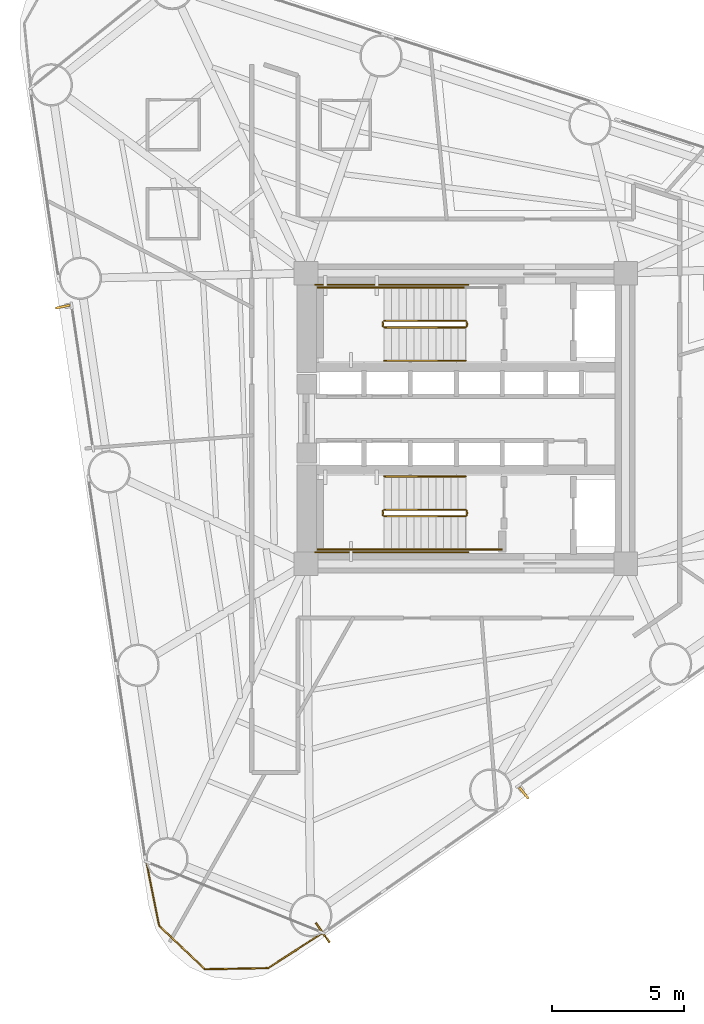
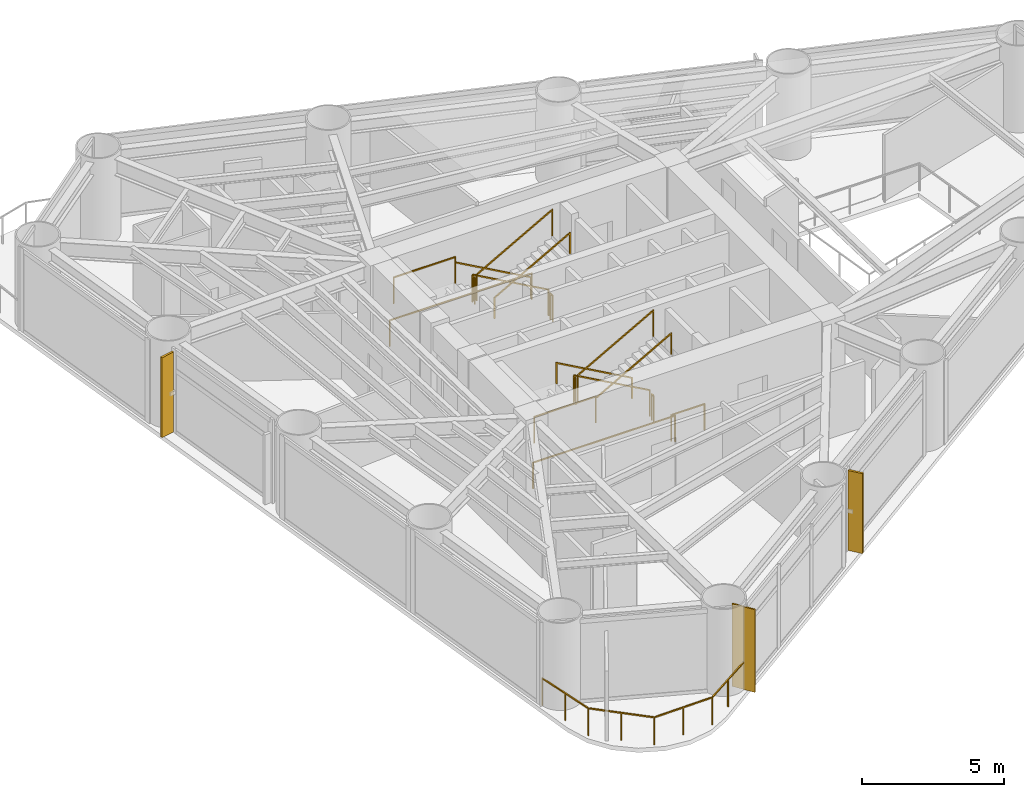
# One storey, part 8 of 9: 18 railings, 2 shading devices, 1 covering.
"""IFC4 building model written with IfcOpenShell, lengths in metres."""

from ifc_helpers import new_model, si_unit, direction, frame, origin, origin_2d, place, context, subcontext, project, spatial, rectangle, extrude, source, transform, mapped, material, layer, layer_set, material_profile, profile_set, type_object, element, save


model = new_model("IFC4")

# Units and contexts
model_context = context("Model", 3, precision=1e-05, world=origin(), true_north=direction((0.0, 1.0)))
body_context = subcontext(model_context, "Body", "Model", "MODEL_VIEW")
ifc_project = project(units=[si_unit("LENGTHUNIT", "METRE"), si_unit("AREAUNIT", "SQUARE_METRE"), si_unit("VOLUMEUNIT", "CUBIC_METRE"), si_unit("PLANEANGLEUNIT", "RADIAN"), si_unit("MASSUNIT", "GRAM", prefix="KILO")], contexts=[model_context])

# Site, building, storey
site_placement = place(None, origin())
site = spatial("IfcSite", under=ifc_project, at=site_placement, CompositionType="ELEMENT")
building_placement = place(site_placement, origin())
building = spatial("IfcBuilding", under=site, at=building_placement, Name="Yunling Apex Tower", CompositionType="ELEMENT")
storey_placement = place(building_placement, frame((0.0, 0.0, 66.050048828125)))
storey = spatial("IfcBuildingStorey", under=building, at=storey_placement, Name="L17", CompositionType="ELEMENT", Elevation=66.050048828125)

# Railings
ifc_material_1 = material(Name="Bronze anodised aluminium", Category="aluminium")
railing_type_1 = type_object("IfcRailingType", Name="RL-BAL-1200", PredefinedType="BALUSTRADE", material=ifc_material_1)
railing_1_placement = place(storey_placement, frame((-5.41552734375, -19.466796875, 0.0)))
element("IfcRailing", 1, at=railing_1_placement, inside=storey, type_object=railing_type_1, Name="RL-CRNSILL-L17-3", PredefinedType="BALUSTRADE", context=body_context, shape_type="SweptSolid", body=[
    extrude(rectangle(XDim=0.0439453125, YDim=0.0439453125, at=origin_2d()), origin(), (0.0, 0.0, 1.0), 1.199951171875),
    extrude(rectangle(XDim=0.0439453125, YDim=0.0439453125, at=origin_2d()), frame((-2.069091796875, -1.3349609375, 0.0)), (0.0, 0.0, 1.0), 1.199951171875),
    extrude(rectangle(XDim=0.050048828125, YDim=0.050048828125, at=origin_2d()), frame((-0.0322265625, -0.020751953125, 1.1748046875), z_axis=(-0.840284992051, -0.542144936464, 0.0), x_axis=(0.542144936464, -0.840284992051, 0.0)), (0.0, 0.0, 1.0), 2.3857421875),
    extrude(rectangle(XDim=0.0439453125, YDim=0.0439453125, at=origin_2d()), frame((-1.03466796875, -0.66748046875, 0.0)), (0.0, 0.0, 1.0), 1.14599609375),
    extrude(rectangle(XDim=0.0439453125, YDim=0.0439453125, at=origin_2d()), frame((-4.456787109375, -1.3779296875, 0.0)), (0.0, 0.0, 1.0), 1.199951171875),
    extrude(rectangle(XDim=0.050048828125, YDim=0.050048828125, at=origin_2d()), frame((-2.107421875, -1.335693359375, 1.1748046875), z_axis=(-0.999838112931, -0.017992996715, 0.0), x_axis=(0.017992996715, -0.999838112931, 0.0)), (0.0, 0.0, 1.0), 2.3115234375),
    extrude(rectangle(XDim=0.0439453125, YDim=0.0439453125, at=origin_2d()), frame((-3.262939453125, -1.3564453125, 0.0)), (0.0, 0.0, 1.0), 1.14599609375),
    extrude(rectangle(XDim=0.0439453125, YDim=0.0439453125, at=origin_2d()), frame((-6.1943359375, 0.271728515625, 0.0)), (0.0, 0.0, 1.0), 1.199951171875),
    extrude(rectangle(XDim=0.050048828125, YDim=0.050048828125, at=origin_2d()), frame((-4.484619140625, -1.3515625, 1.1748046875), z_axis=(-0.725210560755, 0.688527154562, 0.0), x_axis=(-0.688527154562, -0.725210560755, 0.0)), (0.0, 0.0, 1.0), 2.3193359375),
    extrude(rectangle(XDim=0.0439453125, YDim=0.0439453125, at=origin_2d()), frame((-5.32568359375, -0.55322265625, 0.0)), (0.0, 0.0, 1.0), 1.14599609375),
    extrude(rectangle(XDim=0.0439453125, YDim=0.0439453125, at=origin_2d()), frame((-6.6767578125, 2.685302734375, 0.0)), (0.0, 0.0, 1.0), 1.199951171875),
    extrude(rectangle(XDim=0.050048828125, YDim=0.050048828125, at=origin_2d()), frame((-6.201904296875, 0.309326171875, 1.1748046875), z_axis=(-0.196001682493, 0.980603559274, 0.0), x_axis=(-0.980603559274, -0.196001682493, 0.0)), (0.0, 0.0, 1.0), 2.384765625),
    extrude(rectangle(XDim=0.0439453125, YDim=0.0439453125, at=origin_2d()), frame((-6.435546875, 1.478515625, 0.0)), (0.0, 0.0, 1.0), 1.14599609375),
])
ifc_material_2 = material(Name="Steel Q355B", Category="steel")
railing_type_2 = type_object("IfcRailingType", Name="RL-GRD-1150", PredefinedType="GUARDRAIL", material=ifc_material_2)
railing_2_placement = place(storey_placement, frame((-0.010009765625, 3.699951171875, 0.15625)))
element("IfcRailing", 2, at=railing_2_placement, inside=storey, type_object=railing_type_2, Name="L17 ST-1 stair guard 1", PredefinedType="GUARDRAIL", context=body_context, shape_type="SweptSolid", body=[
    extrude(rectangle(XDim=0.0439453125, YDim=0.0439453125, at=origin_2d()), origin(), (0.0, 0.0, 1.0), 1.14990234375),
    extrude(rectangle(XDim=0.0439453125, YDim=0.0439453125, at=origin_2d()), frame((-3.080078125, 0.0, 1.71875)), (0.0, 0.0, 1.0), 1.14990234375),
    extrude(rectangle(XDim=0.050048828125, YDim=0.050048828125, at=origin_2d()), frame((-0.033447265625, 0.0, 1.1435546875), z_axis=(-0.873241540666, 0.0, 0.487287606713), x_axis=(0.0, -1.0, 0.0)), (0.0, 0.0, 1.0), 3.450439453125),
])
railing_3_placement = place(storey_placement, frame((-3.139892578125, 3.64990234375, 1.875)))
element("IfcRailing", 3, at=railing_3_placement, inside=storey, type_object=railing_type_2, Name="L17 ST-1 stair guard 2", PredefinedType="GUARDRAIL", context=body_context, shape_type="SweptSolid", body=[
    extrude(rectangle(XDim=0.0439453125, YDim=0.0439453125, at=origin_2d()), origin(), (0.0, 0.0, 1.0), 1.14990234375),
    extrude(rectangle(XDim=0.0439453125, YDim=0.0439453125, at=origin_2d()), frame((0.0, -0.14990234375, 0.0)), (0.0, 0.0, 1.0), 1.14990234375),
    extrude(rectangle(XDim=0.050048828125, YDim=0.050048828125, at=origin_2d()), frame((0.0, -0.038330078125, 1.125), z_axis=(0.0, -1.0, 0.0), x_axis=(1.0, 0.0, 0.0)), (0.0, 0.0, 1.0), 0.0732421875),
])
railing_4_placement = place(storey_placement, frame((-3.090087890625, 4.9599609375, 1.875)))
element("IfcRailing", 4, at=railing_4_placement, inside=storey, type_object=railing_type_2, Name="L17 ST-1 stair guard 3", PredefinedType="GUARDRAIL", context=body_context, shape_type="SweptSolid", body=[
    extrude(rectangle(XDim=0.0439453125, YDim=0.0439453125, at=origin_2d()), origin(), (0.0, 0.0, 1.0), 1.14990234375),
    extrude(rectangle(XDim=0.0439453125, YDim=0.0439453125, at=origin_2d()), frame((-2.510009765625, 0.0, 0.0)), (0.0, 0.0, 1.0), 1.14990234375),
    extrude(rectangle(XDim=0.050048828125, YDim=0.050048828125, at=origin_2d()), frame((-0.038330078125, 0.0, 1.125), z_axis=(-1.0, 0.0, 0.0), x_axis=(0.0, -1.0, 0.0)), (0.0, 0.0, 1.0), 2.433349609375),
])
railing_5_placement = place(storey_placement, frame((-3.090087890625, 3.449951171875, 2.03125)))
element("IfcRailing", 5, at=railing_5_placement, inside=storey, type_object=railing_type_2, Name="L17 ST-1 stair guard 4", PredefinedType="GUARDRAIL", context=body_context, shape_type="SweptSolid", body=[
    extrude(rectangle(XDim=0.0439453125, YDim=0.0439453125, at=origin_2d()), origin(), (0.0, 0.0, 1.0), 1.14990234375),
    extrude(rectangle(XDim=0.0439453125, YDim=0.0439453125, at=origin_2d()), frame((3.080078125, 0.0, 1.71875)), (0.0, 0.0, 1.0), 1.14990234375),
    extrude(rectangle(XDim=0.050048828125, YDim=0.050048828125, at=origin_2d()), frame((0.033447265625, 0.0, 1.1435546875), z_axis=(0.873241540666, 0.0, 0.487287606713), x_axis=(0.0, 1.0, 0.0)), (0.0, 0.0, 1.0), 3.450439453125),
])
railing_6_placement = place(storey_placement, frame((0.0400390625, 3.64990234375, 0.0)))
element("IfcRailing", 6, at=railing_6_placement, inside=storey, type_object=railing_type_2, Name="L17 ST-1 stair guard 5", PredefinedType="GUARDRAIL", context=body_context, shape_type="SweptSolid", body=[
    extrude(rectangle(XDim=0.0439453125, YDim=0.0439453125, at=origin_2d()), origin(), (0.0, 0.0, 1.0), 1.14990234375),
    extrude(rectangle(XDim=0.0439453125, YDim=0.0439453125, at=origin_2d()), frame((0.0, -0.14990234375, 0.0)), (0.0, 0.0, 1.0), 1.14990234375),
    extrude(rectangle(XDim=0.050048828125, YDim=0.050048828125, at=origin_2d()), frame((0.0, -0.038330078125, 1.125), z_axis=(0.0, -1.0, 0.0), x_axis=(1.0, 0.0, 0.0)), (0.0, 0.0, 1.0), 0.0732421875),
])
railing_7_placement = place(storey_placement, frame((0.090087890625, 5.06005859375, 0.0)))
element("IfcRailing", 7, at=railing_7_placement, inside=storey, type_object=railing_type_2, Name="L17 ST-1 stair guard 7", PredefinedType="GUARDRAIL", context=body_context, shape_type="SweptSolid", body=[
    extrude(rectangle(XDim=0.0439453125, YDim=0.0439453125, at=origin_2d()), origin(), (0.0, 0.0, 1.0), 1.14990234375),
    extrude(rectangle(XDim=0.0439453125, YDim=0.0439453125, at=origin_2d()), frame((-5.7900390625, 0.0, 0.0)), (0.0, 0.0, 1.0), 1.14990234375),
    extrude(rectangle(XDim=0.050048828125, YDim=0.050048828125, at=origin_2d()), frame((-0.038330078125, 0.0, 1.125), z_axis=(-1.0, 0.0, 0.0), x_axis=(0.0, -1.0, 0.0)), (0.0, 0.0, 1.0), 5.71337890625),
])
railing_8_placement = place(storey_placement, frame((-0.010009765625, -3.449951171875, 0.15625)))
element("IfcRailing", 8, at=railing_8_placement, inside=storey, type_object=railing_type_2, Name="L17 ST-2 stair guard 1", PredefinedType="GUARDRAIL", context=body_context, shape_type="SweptSolid", body=[
    extrude(rectangle(XDim=0.0439453125, YDim=0.0439453125, at=origin_2d()), origin(), (0.0, 0.0, 1.0), 1.14990234375),
    extrude(rectangle(XDim=0.0439453125, YDim=0.0439453125, at=origin_2d()), frame((-3.080078125, 0.0, 1.71875)), (0.0, 0.0, 1.0), 1.14990234375),
    extrude(rectangle(XDim=0.050048828125, YDim=0.050048828125, at=origin_2d()), frame((-0.033447265625, 0.0, 1.1435546875), z_axis=(-0.873241540666, 0.0, 0.487287606713), x_axis=(0.0, -1.0, 0.0)), (0.0, 0.0, 1.0), 3.450439453125),
])
railing_9_placement = place(storey_placement, frame((-3.139892578125, -3.5, 1.875)))
element("IfcRailing", 9, at=railing_9_placement, inside=storey, type_object=railing_type_2, Name="L17 ST-2 stair guard 2", PredefinedType="GUARDRAIL", context=body_context, shape_type="SweptSolid", body=[
    extrude(rectangle(XDim=0.0439453125, YDim=0.0439453125, at=origin_2d()), origin(), (0.0, 0.0, 1.0), 1.14990234375),
    extrude(rectangle(XDim=0.0439453125, YDim=0.0439453125, at=origin_2d()), frame((0.0, -0.14990234375, 0.0)), (0.0, 0.0, 1.0), 1.14990234375),
    extrude(rectangle(XDim=0.050048828125, YDim=0.050048828125, at=origin_2d()), frame((0.0, -0.038330078125, 1.125), z_axis=(0.0, -1.0, 0.0), x_axis=(1.0, 0.0, 0.0)), (0.0, 0.0, 1.0), 0.0732421875),
])
railing_10_placement = place(storey_placement, frame((-3.090087890625, -4.9599609375, 1.875)))
element("IfcRailing", 10, at=railing_10_placement, inside=storey, type_object=railing_type_2, Name="L17 ST-2 stair guard 3", PredefinedType="GUARDRAIL", context=body_context, shape_type="SweptSolid", body=[
    extrude(rectangle(XDim=0.0439453125, YDim=0.0439453125, at=origin_2d()), origin(), (0.0, 0.0, 1.0), 1.14990234375),
    extrude(rectangle(XDim=0.0439453125, YDim=0.0439453125, at=origin_2d()), frame((-2.510009765625, 0.0, 0.0)), (0.0, 0.0, 1.0), 1.14990234375),
    extrude(rectangle(XDim=0.050048828125, YDim=0.050048828125, at=origin_2d()), frame((-0.038330078125, 0.0, 1.125), z_axis=(-1.0, 0.0, 0.0), x_axis=(0.0, -1.0, 0.0)), (0.0, 0.0, 1.0), 2.433349609375),
])
railing_11_placement = place(storey_placement, frame((-3.090087890625, -3.699951171875, 2.03125)))
element("IfcRailing", 11, at=railing_11_placement, inside=storey, type_object=railing_type_2, Name="L17 ST-2 stair guard 4", PredefinedType="GUARDRAIL", context=body_context, shape_type="SweptSolid", body=[
    extrude(rectangle(XDim=0.0439453125, YDim=0.0439453125, at=origin_2d()), origin(), (0.0, 0.0, 1.0), 1.14990234375),
    extrude(rectangle(XDim=0.0439453125, YDim=0.0439453125, at=origin_2d()), frame((3.080078125, 0.0, 1.71875)), (0.0, 0.0, 1.0), 1.14990234375),
    extrude(rectangle(XDim=0.050048828125, YDim=0.050048828125, at=origin_2d()), frame((0.033447265625, 0.0, 1.1435546875), z_axis=(0.873241540666, 0.0, 0.487287606713), x_axis=(0.0, 1.0, 0.0)), (0.0, 0.0, 1.0), 3.450439453125),
])
railing_12_placement = place(storey_placement, frame((0.0400390625, -3.5, 0.0)))
element("IfcRailing", 12, at=railing_12_placement, inside=storey, type_object=railing_type_2, Name="L17 ST-2 stair guard 5", PredefinedType="GUARDRAIL", context=body_context, shape_type="SweptSolid", body=[
    extrude(rectangle(XDim=0.0439453125, YDim=0.0439453125, at=origin_2d()), origin(), (0.0, 0.0, 1.0), 1.14990234375),
    extrude(rectangle(XDim=0.0439453125, YDim=0.0439453125, at=origin_2d()), frame((0.0, -0.14990234375, 0.0)), (0.0, 0.0, 1.0), 1.14990234375),
    extrude(rectangle(XDim=0.050048828125, YDim=0.050048828125, at=origin_2d()), frame((0.0, -0.038330078125, 1.125), z_axis=(0.0, -1.0, 0.0), x_axis=(1.0, 0.0, 0.0)), (0.0, 0.0, 1.0), 0.0732421875),
])
railing_13_placement = place(storey_placement, frame((1.35009765625, -4.9599609375, 0.0)))
element("IfcRailing", 13, at=railing_13_placement, inside=storey, type_object=railing_type_2, Name="L17 ST-2 stair guard 6", PredefinedType="GUARDRAIL", context=body_context, shape_type="SweptSolid", body=[
    extrude(rectangle(XDim=0.0439453125, YDim=0.0439453125, at=origin_2d()), origin(), (0.0, 0.0, 1.0), 1.14990234375),
    extrude(rectangle(XDim=0.0439453125, YDim=0.0439453125, at=origin_2d()), frame((-1.360107421875, 0.0, 0.0)), (0.0, 0.0, 1.0), 1.14990234375),
    extrude(rectangle(XDim=0.050048828125, YDim=0.050048828125, at=origin_2d()), frame((-0.038330078125, 0.0, 1.125), z_axis=(-1.0, 0.0, 0.0), x_axis=(0.0, -1.0, 0.0)), (0.0, 0.0, 1.0), 1.283447265625),
])
railing_14_placement = place(storey_placement, frame((0.090087890625, -5.06005859375, 0.0)))
element("IfcRailing", 14, at=railing_14_placement, inside=storey, type_object=railing_type_2, Name="L17 ST-2 stair guard 7", PredefinedType="GUARDRAIL", context=body_context, shape_type="SweptSolid", body=[
    extrude(rectangle(XDim=0.0439453125, YDim=0.0439453125, at=origin_2d()), origin(), (0.0, 0.0, 1.0), 1.14990234375),
    extrude(rectangle(XDim=0.0439453125, YDim=0.0439453125, at=origin_2d()), frame((-5.7900390625, 0.0, 0.0)), (0.0, 0.0, 1.0), 1.14990234375),
    extrude(rectangle(XDim=0.050048828125, YDim=0.050048828125, at=origin_2d()), frame((-0.038330078125, 0.0, 1.125), z_axis=(-1.0, 0.0, 0.0), x_axis=(0.0, -1.0, 0.0)), (0.0, 0.0, 1.0), 5.71337890625),
])
ifc_material_3 = material(Name="Silver anodised aluminium", Category="aluminium")
railing_type_3 = type_object("IfcRailingType", Name="RL-HND-900", PredefinedType="HANDRAIL", material=ifc_material_3)
railing_15_placement = place(storey_placement, frame((-0.010009765625, 4.9599609375, 0.15625)))
element("IfcRailing", 15, at=railing_15_placement, inside=storey, type_object=railing_type_3, Name="L17 ST-1 stair handrail 1", PredefinedType="HANDRAIL", context=body_context, shape_type="SweptSolid", body=[
    extrude(rectangle(XDim=0.0439453125, YDim=0.0439453125, at=origin_2d()), origin(), (0.0, 0.0, 1.0), 0.919921875),
    extrude(rectangle(XDim=0.0439453125, YDim=0.0439453125, at=origin_2d()), frame((-3.080078125, 0.0, 1.71875)), (0.0, 0.0, 1.0), 0.919921875),
    extrude(rectangle(XDim=0.050048828125, YDim=0.050048828125, at=origin_2d()), frame((-0.033447265625, 0.0, 0.91357421875), z_axis=(-0.873241540666, 0.0, 0.487287606713), x_axis=(0.0, -1.0, 0.0)), (0.0, 0.0, 1.0), 3.450439453125),
])
railing_16_placement = place(storey_placement, frame((-3.090087890625, 2.18994140625, 2.03125)))
element("IfcRailing", 16, at=railing_16_placement, inside=storey, type_object=railing_type_3, Name="L17 ST-1 stair handrail 2", PredefinedType="HANDRAIL", context=body_context, shape_type="SweptSolid", body=[
    extrude(rectangle(XDim=0.0439453125, YDim=0.0439453125, at=origin_2d()), origin(), (0.0, 0.0, 1.0), 0.919921875),
    extrude(rectangle(XDim=0.0439453125, YDim=0.0439453125, at=origin_2d()), frame((3.080078125, 0.0, 1.71875)), (0.0, 0.0, 1.0), 0.919921875),
    extrude(rectangle(XDim=0.050048828125, YDim=0.050048828125, at=origin_2d()), frame((0.033447265625, 0.0, 0.91357421875), z_axis=(0.873241540666, 0.0, 0.487287606713), x_axis=(0.0, 1.0, 0.0)), (0.0, 0.0, 1.0), 3.450439453125),
])
railing_17_placement = place(storey_placement, frame((-0.010009765625, -2.18994140625, 0.15625)))
element("IfcRailing", 17, at=railing_17_placement, inside=storey, type_object=railing_type_3, Name="L17 ST-2 stair handrail 1", PredefinedType="HANDRAIL", context=body_context, shape_type="SweptSolid", body=[
    extrude(rectangle(XDim=0.0439453125, YDim=0.0439453125, at=origin_2d()), origin(), (0.0, 0.0, 1.0), 0.919921875),
    extrude(rectangle(XDim=0.0439453125, YDim=0.0439453125, at=origin_2d()), frame((-3.080078125, 0.0, 1.71875)), (0.0, 0.0, 1.0), 0.919921875),
    extrude(rectangle(XDim=0.050048828125, YDim=0.050048828125, at=origin_2d()), frame((-0.033447265625, 0.0, 0.91357421875), z_axis=(-0.873241540666, 0.0, 0.487287606713), x_axis=(0.0, -1.0, 0.0)), (0.0, 0.0, 1.0), 3.450439453125),
])
railing_18_placement = place(storey_placement, frame((-3.090087890625, -4.9599609375, 2.03125)))
element("IfcRailing", 18, at=railing_18_placement, inside=storey, type_object=railing_type_3, Name="L17 ST-2 stair handrail 2", PredefinedType="HANDRAIL", context=body_context, shape_type="SweptSolid", body=[
    extrude(rectangle(XDim=0.0439453125, YDim=0.0439453125, at=origin_2d()), origin(), (0.0, 0.0, 1.0), 0.919921875),
    extrude(rectangle(XDim=0.0439453125, YDim=0.0439453125, at=origin_2d()), frame((3.080078125, 0.0, 1.71875)), (0.0, 0.0, 1.0), 0.919921875),
    extrude(rectangle(XDim=0.050048828125, YDim=0.050048828125, at=origin_2d()), frame((0.033447265625, 0.0, 0.91357421875), z_axis=(0.873241540666, 0.0, 0.487287606713), x_axis=(0.0, 1.0, 0.0)), (0.0, 0.0, 1.0), 3.450439453125),
])

# Covering
ifc_layer = layer(ifc_material_1, 0.0400390625)
ifc_layer_set = layer_set([ifc_layer], Name="Bronze anodised aluminium")
covering_type = type_object("IfcCoveringType", Name="CV-CLD-1", PredefinedType="CLADDING", material=ifc_layer_set)
shared_shape_1 = source(origin(), body_context, "Body", "SweptSolid", [
    extrude(rectangle(XDim=0.06005859375, YDim=0.89990234375, at=origin_2d()), origin(), (0.0, 0.0, 1.0), 3.56494140625),
])
covering_placement = place(storey_placement, frame((-5.42138671875, -19.45849609375, 0.0), z_axis=(0.0, 0.0, 1.0), x_axis=(0.819552276527, 0.573004420611, 0.0)))
element("IfcCovering", 19, at=covering_placement, inside=storey, type_object=covering_type, Name="CV-CLD-L17", PredefinedType="CLADDING", context=body_context, shape_type="MappedRepresentation", body=[
    mapped(shared_shape_1, transform((0.0, 0.0, 0.0), scale=1.0)),
])

# Shading devices
ifc_material_profile = material_profile(ifc_material_1, rectangle(XDim=0.0849609375, YDim=0.550048828125, at=origin_2d()))
ifc_profile_set = profile_set([ifc_material_profile], Name="Bronze anodised aluminium")
shading_device_type = type_object("IfcShadingDeviceType", Name="FN-BRZ-3", PredefinedType="USERDEFINED", material=ifc_profile_set)
shared_shape_2 = source(origin(), body_context, "Body", "SweptSolid", [
    extrude(rectangle(XDim=0.0849609375, YDim=0.550048828125, at=origin_2d()), origin(), (0.0, 0.0, 1.0), 3.445068359375),
])
for number, where, z_axis, x_axis, name in (
    (20, (2.197509765625, -14.17431640625, 0.06005859375), (0.0, 0.0, 1.0), (0.780321270022, 0.625378857614, 0.0), "CW-L17-F1-B2-FIN-01"),
    (21, (-15.25830078125, 4.233642578125, 0.06005859375), (0.0, 0.0, 1.0), (0.212177672156, -0.977231106463, 0.0), "CW-L17-F3-B2-FIN-01"),
):
    element("IfcShadingDevice", number, at=place(storey_placement, frame(where, z_axis=z_axis, x_axis=x_axis)), inside=storey, type_object=shading_device_type, Name=name, ObjectType="FIN", PredefinedType="USERDEFINED", context=body_context, shape_type="MappedRepresentation", body=[
        mapped(shared_shape_2, transform((0.0, 0.0, 0.0), scale=1.0)),
    ])

save(model, "model.ifc")
